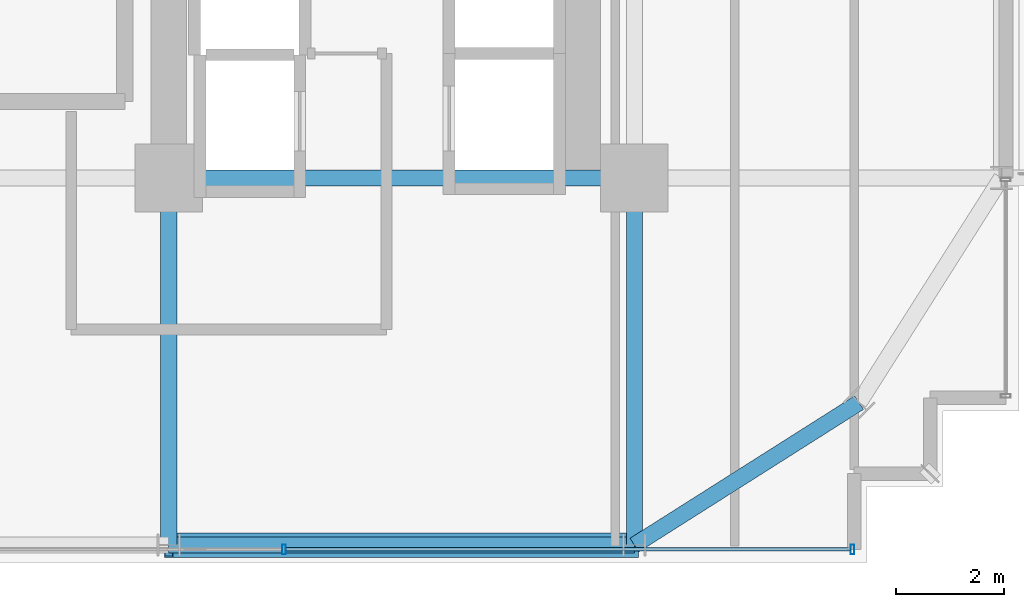
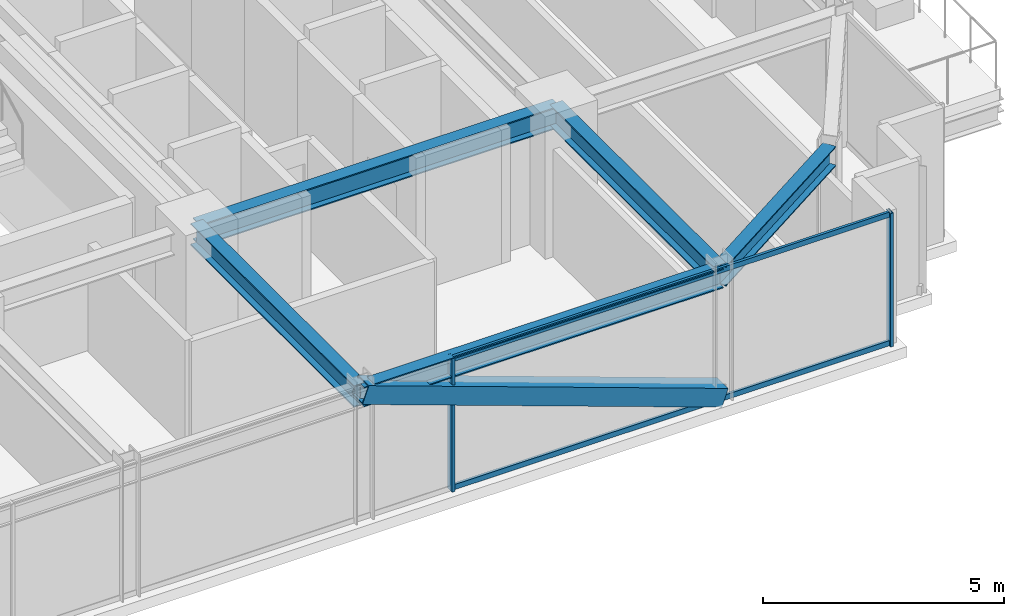
# One storey, part 10 of 41: 5 beams, 5 members, 1 element without a shape of its own.
"""IFC4 building model written with IfcOpenShell, lengths in metres."""

from ifc_helpers import new_model, si_unit, direction, frame, origin, origin_2d, place, context, subcontext, project, spatial, hollow_rectangle, i_section, extrude, source, transform, mapped, material, material_profile, profile_set, type_object, element, aggregate, save


model = new_model("IFC4")

# Units and contexts
model_context = context("Model", 3, precision=1e-05, world=origin(), true_north=direction((0.0, 1.0)))
body_context = subcontext(model_context, "Body", "Model", "MODEL_VIEW")
ifc_project = project(units=[si_unit("LENGTHUNIT", "METRE"), si_unit("AREAUNIT", "SQUARE_METRE"), si_unit("VOLUMEUNIT", "CUBIC_METRE"), si_unit("PLANEANGLEUNIT", "RADIAN"), si_unit("MASSUNIT", "GRAM", prefix="KILO")], contexts=[model_context])

# Site, building, storey
site_placement = place(None, origin())
site = spatial("IfcSite", under=ifc_project, at=site_placement, CompositionType="ELEMENT")
building_placement = place(site_placement, origin())
building = spatial("IfcBuilding", under=site, at=building_placement, Name="Nahalor Promenade Grand Hotel", CompositionType="ELEMENT")
storey_placement = place(building_placement, frame((0.0, 0.0, 113.85009765625)))
storey = spatial("IfcBuildingStorey", under=building, at=storey_placement, Name="L28", CompositionType="ELEMENT", Elevation=113.85009765625)

# Beams
ifc_material_1 = material(Name="Steel S355JR", Category="steel")
ifc_material_profile_1 = material_profile(ifc_material_1, i_section(OverallWidth=0.3, OverallDepth=0.5, WebThickness=0.0145, FlangeThickness=0.028, at=origin_2d()), Name="HEB 500")
ifc_profile_set_1 = profile_set([ifc_material_profile_1], Name="Steel S355JR")
beam_type_1 = type_object("IfcBeamType", Name="Beam-Spandrel-HEB500", PredefinedType="SPANDREL", material=ifc_profile_set_1)
shared_shape_1 = source(origin(), body_context, "Body", "SweptSolid", [
    extrude(i_section(OverallWidth=0.3, OverallDepth=0.5, WebThickness=0.0145, FlangeThickness=0.028, at=origin_2d()), origin(), (0.0, 0.0, 1.0), 8.60009765625),
])
beam_1_placement = place(storey_placement, frame((8.39990234375, -23.780029296875, 3.1298828125), z_axis=(1.0, 0.0, 0.0), x_axis=(0.0, 1.0, 0.0)))
element("IfcBeam", 1, at=beam_1_placement, inside=storey, type_object=beam_type_1, Name="BM-L28-SP-S-4", PredefinedType="SPANDREL", context=body_context, shape_type="MappedRepresentation", body=[
    mapped(shared_shape_1, transform((0.0, 0.0, 0.0), scale=1.0)),
])
shared_shape_2 = source(origin(), body_context, "Body", "SweptSolid", [
    extrude(i_section(OverallWidth=0.3, OverallDepth=0.5, WebThickness=0.0145, FlangeThickness=0.028, at=origin_2d()), origin(), (0.0, 0.0, 1.0), 4.9130859375),
])
beam_2_placement = place(storey_placement, frame((17.0, -23.780029296875, 3.1298828125), z_axis=(0.844648325505, 0.535321591403, 0.0), x_axis=(-0.535321591403, 0.844648325505, 0.0)))
element("IfcBeam", 2, at=beam_2_placement, inside=storey, type_object=beam_type_1, Name="BM-L28-SPC-SE-1", PredefinedType="SPANDREL", context=body_context, shape_type="MappedRepresentation", body=[
    mapped(shared_shape_2, transform((0.0, 0.0, 0.0), scale=1.0)),
])
ifc_material_profile_2 = material_profile(ifc_material_1, i_section(OverallWidth=0.3, OverallDepth=0.55, WebThickness=0.015, FlangeThickness=0.029, at=origin_2d()), Name="HEB 550")
ifc_profile_set_2 = profile_set([ifc_material_profile_2], Name="Steel S355JR")
beam_type_2 = type_object("IfcBeamType", Name="Beam-Girder-HEB550", PredefinedType="BEAM", material=ifc_profile_set_2)
shared_shape_3 = source(origin(), body_context, "Body", "SweptSolid", [
    extrude(i_section(OverallWidth=0.3, OverallDepth=0.55, WebThickness=0.015, FlangeThickness=0.029, at=origin_2d()), origin(), (0.0, 0.0, 1.0), 6.780029296875),
])
for number, where, z_axis, x_axis, name in (
    (3, (8.39990234375, -23.780029296875, 3.10498046875), (0.0, 1.0, 0.0), (-1.0, 0.0, 0.0), "BM-L28-GY-4-0"),
    (4, (17.0, -23.780029296875, 3.10498046875), (0.0, 1.0, 0.0), (-1.0, 0.0, 0.0), "BM-L28-GY-5-0"),
):
    element("IfcBeam", number, at=place(storey_placement, frame(where, z_axis=z_axis, x_axis=x_axis)), inside=storey, type_object=beam_type_2, Name=name, PredefinedType="BEAM", context=body_context, shape_type="MappedRepresentation", body=[
        mapped(shared_shape_3, transform((0.0, 0.0, 0.0), scale=1.0)),
    ])
shared_shape_4 = source(origin(), body_context, "Body", "SweptSolid", [
    extrude(i_section(OverallWidth=0.3, OverallDepth=0.55, WebThickness=0.015, FlangeThickness=0.029, at=origin_2d()), origin(), (0.0, 0.0, 1.0), 8.60009765625),
])
beam_3_placement = place(storey_placement, frame((8.39990234375, -17.0, 3.10498046875), z_axis=(1.0, 0.0, 0.0), x_axis=(0.0, 1.0, 0.0)))
element("IfcBeam", 5, at=beam_3_placement, inside=storey, type_object=beam_type_2, Name="BM-L28-GX-0-5", PredefinedType="BEAM", context=body_context, shape_type="MappedRepresentation", body=[
    mapped(shared_shape_4, transform((0.0, 0.0, 0.0), scale=1.0)),
])

# Member
ifc_material_2 = material(Name="Steel S355J2", Category="steel")
ifc_material_profile_3 = material_profile(ifc_material_2, hollow_rectangle(XDim=0.45, YDim=0.45, WallThickness=0.025, at=origin_2d()), Name="SHS 450x450x25")
ifc_profile_set_3 = profile_set([ifc_material_profile_3], Name="Steel S355J2")
member_type_1 = type_object("IfcMemberType", Name="Mem-ExoBrace-SHS450", PredefinedType="BRACE", material=ifc_profile_set_3)
shared_shape_5 = source(origin(), body_context, "Body", "SweptSolid", [
    extrude(hollow_rectangle(XDim=0.45, YDim=0.45, WallThickness=0.025, at=origin_2d()), origin(), (0.0, 0.0, 1.0), 9.135009765625),
])
member_1_placement = place(storey_placement, frame((17.0, -23.780029296875, 0.14990234375), z_axis=(-0.941442840152, 0.0, 0.337172624521), x_axis=(0.0, -1.0, 0.0)))
element("IfcMember", 6, at=member_1_placement, inside=storey, type_object=member_type_1, Name="EXO-L28-S-1", PredefinedType="BRACE", context=body_context, shape_type="MappedRepresentation", body=[
    mapped(shared_shape_5, transform((0.0, 0.0, 0.0), scale=1.0)),
])

# Curtain wall, members
ifc_material_3 = material(Name="Anodised Bronze Aluminium EN AW-6063 T6", Category="aluminium")
curtain_wall_type = type_object("IfcCurtainWallType", Name="CW2 Typical Hotel Flush Bronze Unitised Curtain Wall", PredefinedType="USERDEFINED", material=ifc_material_3)
curtain_wall_placement = place(storey_placement, origin())
curtain_wall = element("IfcCurtainWall", 7, at=curtain_wall_placement, inside=storey, type_object=curtain_wall_type, Name="L28 Curtain Wall CW-L28-S-1", ObjectType="UNITISED_CURTAIN_WALL", PredefinedType="USERDEFINED")
ifc_material_profile_4 = material_profile(ifc_material_3, hollow_rectangle(XDim=0.065, YDim=0.18, WallThickness=0.004, at=origin_2d()), Name="CWM 65x180x4")
ifc_profile_set_4 = profile_set([ifc_material_profile_4], Name="Anodised Bronze Aluminium EN AW-6063 T6")
member_type_2 = type_object("IfcMemberType", Name="CWM2 Typical Bronze Mullion 65x180", PredefinedType="MULLION", material=ifc_profile_set_4)
shared_shape_6 = source(origin(), body_context, "Body", "SweptSolid", [
    extrude(hollow_rectangle(XDim=0.065, YDim=0.18, WallThickness=0.004, at=origin_2d()), origin(), (0.0, 0.0, 1.0), 3.3798828125),
])
member_2_placement = place(storey_placement, frame((10.530029296875, -23.860107421875, 0.0), z_axis=(0.0, 0.0, 1.0), x_axis=(1.0, 0.0, 0.0)))
member_2 = element("IfcMember", 8, at=member_2_placement, type_object=member_type_2, Name="CW-L28-S-1 Mullion 3", PredefinedType="MULLION", context=body_context, shape_type="MappedRepresentation", body=[
    mapped(shared_shape_6, transform((0.0, 0.0, 0.0), scale=1.0)),
])
member_3_placement = place(storey_placement, frame((21.027587890625, -23.860107421875, 0.0), z_axis=(0.0, 0.0, 1.0), x_axis=(1.0, 0.0, 0.0)))
member_3 = element("IfcMember", 9, at=member_3_placement, type_object=member_type_2, Name="CW-L28-S-1 Mullion 4", PredefinedType="MULLION", context=body_context, shape_type="MappedRepresentation", body=[
    mapped(shared_shape_6, transform((0.0, 0.0, 0.0), scale=1.0)),
])
ifc_material_profile_5 = material_profile(ifc_material_3, hollow_rectangle(XDim=0.065, YDim=0.13, WallThickness=0.004, at=origin_2d()), Name="CWT 65x130x4")
ifc_profile_set_5 = profile_set([ifc_material_profile_5], Name="Anodised Bronze Aluminium EN AW-6063 T6")
member_type_3 = type_object("IfcMemberType", Name="CWT2 Typical Bronze Transom 65x130", PredefinedType="USERDEFINED", material=ifc_profile_set_5)
shared_shape_7 = source(origin(), body_context, "Body", "SweptSolid", [
    extrude(hollow_rectangle(XDim=0.065, YDim=0.13, WallThickness=0.004, at=origin_2d()), origin(), (0.0, 0.0, 1.0), 10.4326171875),
])
member_4_placement = place(storey_placement, frame((10.5625, -23.860107421875, 0.06494140625), z_axis=(1.0, 0.0, 0.0), x_axis=(0.0, 1.0, 0.0)))
member_4 = element("IfcMember", 10, at=member_4_placement, type_object=member_type_3, Name="CW-L28-S-1 Transom 3-0", ObjectType="TRANSOM", PredefinedType="USERDEFINED", context=body_context, shape_type="MappedRepresentation", body=[
    mapped(shared_shape_7, transform((0.0, 0.0, 0.0), scale=1.0)),
])
member_5_placement = place(storey_placement, frame((10.5625, -23.860107421875, 3.31494140625), z_axis=(1.0, 0.0, 0.0), x_axis=(0.0, 1.0, 0.0)))
member_5 = element("IfcMember", 11, at=member_5_placement, type_object=member_type_3, Name="CW-L28-S-1 Transom 3-1", ObjectType="TRANSOM", PredefinedType="USERDEFINED", context=body_context, shape_type="MappedRepresentation", body=[
    mapped(shared_shape_7, transform((0.0, 0.0, 0.0), scale=1.0)),
])
aggregate(curtain_wall, [member_2, member_3, member_4, member_5])

save(model, "model.ifc")
